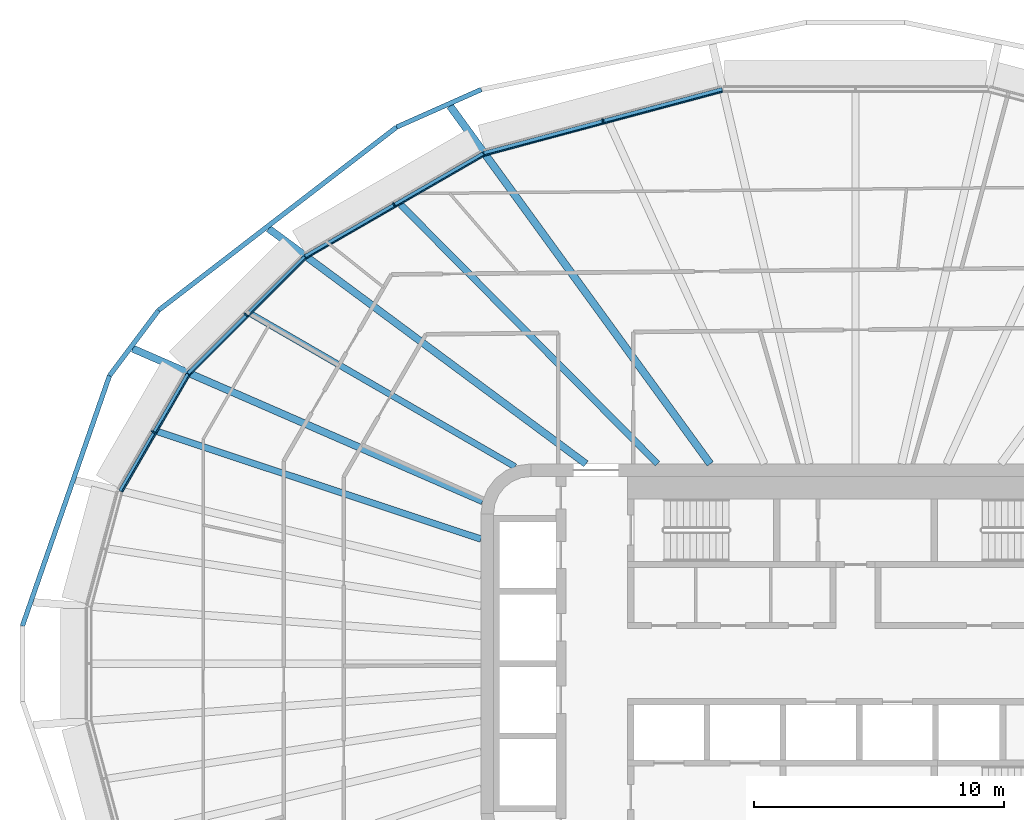
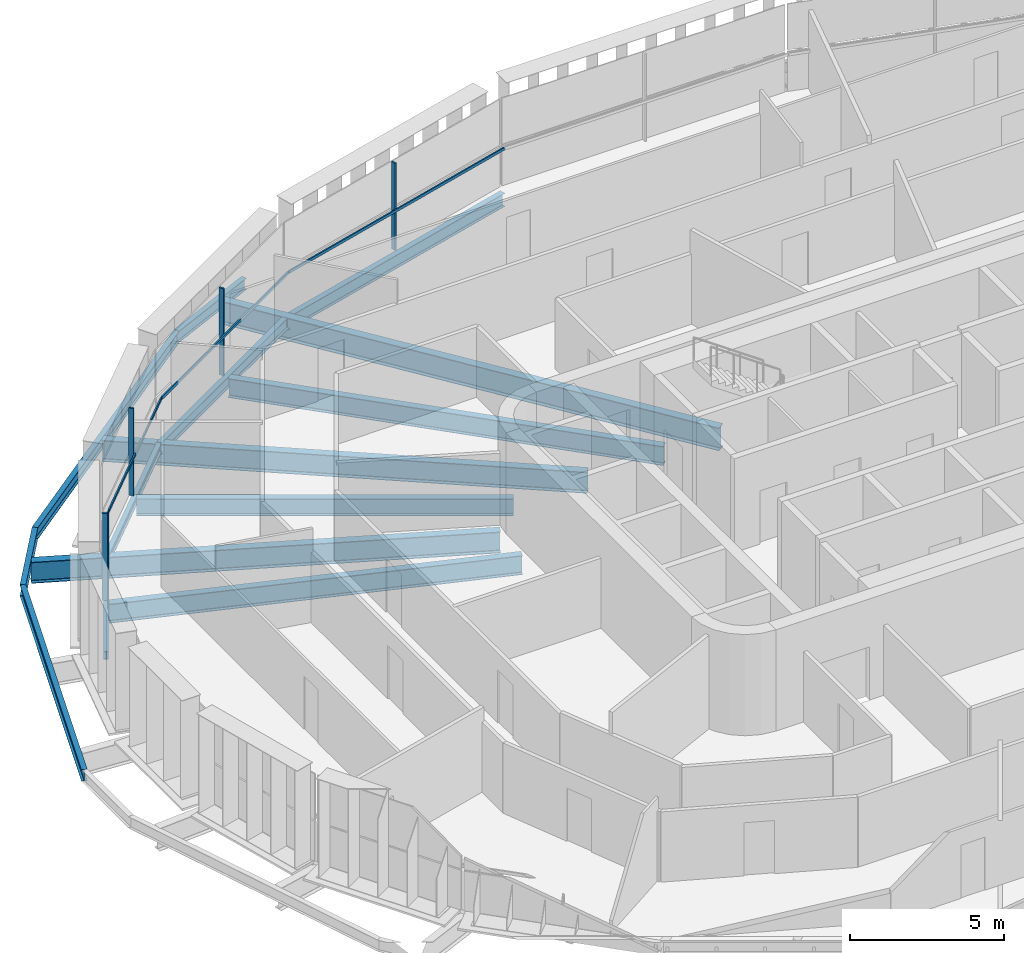
# One storey, part 5 of 23: 14 beams, 8 members, 4 elements without a shape of their own.
"""IFC4 building model written with IfcOpenShell, lengths in metres."""

from ifc_helpers import new_model, si_unit, direction, frame, origin, origin_2d, place, context, subcontext, project, spatial, rectangle, i_section, extrude, material, layer, layer_set, material_profile, profile_set, type_object, element, aggregate, save


model = new_model("IFC4")

# Units and contexts
model_context = context("Model", 3, precision=1e-05, world=origin(), true_north=direction((0.0, 1.0)))
body_context = subcontext(model_context, "Body", "Model", "MODEL_VIEW")
ifc_project = project(units=[si_unit("LENGTHUNIT", "METRE"), si_unit("AREAUNIT", "SQUARE_METRE"), si_unit("VOLUMEUNIT", "CUBIC_METRE"), si_unit("PLANEANGLEUNIT", "RADIAN"), si_unit("MASSUNIT", "GRAM", prefix="KILO")], contexts=[model_context])

# Site, building, storey
site_placement = place(None, origin())
site = spatial("IfcSite", under=ifc_project, at=site_placement, CompositionType="ELEMENT")
building_placement = place(site_placement, origin())
building = spatial("IfcBuilding", under=site, at=building_placement, Name="Sahrelin Media Tower", CompositionType="ELEMENT")
storey_placement = place(building_placement, frame((0.0, 0.0, 185.60009765625)))
storey = spatial("IfcBuildingStorey", under=building, at=storey_placement, Name="L39", CompositionType="ELEMENT", Elevation=185.60009765625)

# Beams
ifc_material_1 = material(Name="Steel S355", Category="steel")
ifc_material_profile_1 = material_profile(ifc_material_1, i_section(OverallWidth=0.1650390625, OverallDepth=0.303466796875, WebThickness=0.006103515625, FlangeThickness=0.01025390625, FilletRadius=0.0087890625, at=origin_2d()), Name="UB 305x165x40")
ifc_profile_set_1 = profile_set([ifc_material_profile_1], Name="Steel S355")
beam_type_1 = type_object("IfcBeamType", Name="Edge beam EB2", PredefinedType="BEAM", material=ifc_profile_set_1)
beam_1_placement = place(storey_placement, frame((-29.43408203125, 6.9072265625, -0.3017578125), z_axis=(0.500016705875, 0.866015758428, 0.0), x_axis=(-0.866015758428, 0.500016705875, 0.0)))
element("IfcBeam", 1, at=beam_1_placement, inside=storey, type_object=beam_type_1, Name="Edge beam L39-15", PredefinedType="BEAM", context=body_context, shape_type="SweptSolid", body=[
    extrude(i_section(OverallWidth=0.1650390625, OverallDepth=0.303466796875, WebThickness=0.006103515625, FlangeThickness=0.01025390625, FilletRadius=0.0087890625, at=origin_2d()), origin(), (0.0, 0.0, 1.0), 5.410400390625),
])
ifc_material_profile_2 = material_profile(ifc_material_1, i_section(OverallWidth=0.17138671875, OverallDepth=0.35498046875, WebThickness=0.00732421875, FlangeThickness=0.011474609375, FilletRadius=0.01025390625, at=origin_2d()), Name="UB 356x171x51")
ifc_profile_set_2 = profile_set([ifc_material_profile_2], Name="Steel S355")
beam_type_2 = type_object("IfcBeamType", Name="Edge beam EB3", PredefinedType="BEAM", material=ifc_profile_set_2)
beam_2_placement = place(storey_placement, frame((-26.711181640625, 11.61572265625, -0.32763671875), z_axis=(0.70708825429, 0.707125307597, 0.0), x_axis=(-0.707125307597, 0.70708825429, 0.0)))
element("IfcBeam", 2, at=beam_2_placement, inside=storey, type_object=beam_type_2, Name="Edge beam L39-16", PredefinedType="BEAM", context=body_context, shape_type="SweptSolid", body=[
    extrude(i_section(OverallWidth=0.17138671875, OverallDepth=0.35498046875, WebThickness=0.00732421875, FlangeThickness=0.011474609375, FilletRadius=0.01025390625, at=origin_2d()), origin(), (0.0, 0.0, 1.0), 6.5888671875),
])
ifc_material_profile_3 = material_profile(ifc_material_1, i_section(OverallWidth=0.1904296875, OverallDepth=0.45703125, WebThickness=0.009033203125, FlangeThickness=0.014404296875, FilletRadius=0.01025390625, at=origin_2d()), Name="UB 457x191x74")
ifc_profile_set_3 = profile_set([ifc_material_profile_3], Name="Steel S355")
beam_type_3 = type_object("IfcBeamType", Name="Edge beam EB5", PredefinedType="BEAM", material=ifc_profile_set_3)
beam_3_placement = place(storey_placement, frame((-22.029296875, 16.292236328125, -0.378662109375), z_axis=(0.8660092336, 0.500028006535, 0.0), x_axis=(-0.500028006535, 0.8660092336, 0.0)))
element("IfcBeam", 3, at=beam_3_placement, inside=storey, type_object=beam_type_3, Name="Edge beam L39-17", PredefinedType="BEAM", context=body_context, shape_type="SweptSolid", body=[
    extrude(i_section(OverallWidth=0.1904296875, OverallDepth=0.45703125, WebThickness=0.009033203125, FlangeThickness=0.014404296875, FilletRadius=0.01025390625, at=origin_2d()), origin(), (0.0, 0.0, 1.0), 8.23046875),
])
ifc_material_profile_4 = material_profile(ifc_material_1, i_section(OverallWidth=0.208740234375, OverallDepth=0.5283203125, WebThickness=0.009521484375, FlangeThickness=0.01318359375, FilletRadius=0.0126953125, at=origin_2d()), Name="UB 533x210x82")
ifc_profile_set_4 = profile_set([ifc_material_profile_4], Name="Steel S355")
beam_type_4 = type_object("IfcBeamType", Name="Edge beam EB6", PredefinedType="BEAM", material=ifc_profile_set_4)
beam_4_placement = place(storey_placement, frame((-14.875, 20.418701171875, -0.414306640625), z_axis=(0.965928634298, 0.258808565244, 0.0), x_axis=(-0.258808565244, 0.965928634298, 0.0)))
element("IfcBeam", 4, at=beam_4_placement, inside=storey, type_object=beam_type_4, Name="Edge beam L39-18", PredefinedType="BEAM", context=body_context, shape_type="SweptSolid", body=[
    extrude(i_section(OverallWidth=0.208740234375, OverallDepth=0.5283203125, WebThickness=0.009521484375, FlangeThickness=0.01318359375, FilletRadius=0.0126953125, at=origin_2d()), origin(), (0.0, 0.0, 1.0), 9.87744140625),
])

# Curtain wall, member
ifc_material_2 = material(Name="Champagne anodised aluminium 6063-T6", Category="aluminium")
ifc_layer = layer(ifc_material_2, 0.14990234375)
ifc_layer_set = layer_set([ifc_layer], Name="Tower ribbon curtain wall")
curtain_wall_type = type_object("IfcCurtainWallType", Name="Tower ribbon curtain wall", PredefinedType="NOTDEFINED", material=ifc_layer_set)
curtain_wall_1_placement = place(storey_placement, frame((-10.143310546875, 21.841796875, 0.0), z_axis=(0.0, 0.0, 1.0), x_axis=(1.0, 0.0, 0.0)))
curtain_wall_1 = element("IfcCurtainWall", 5, at=curtain_wall_1_placement, inside=storey, type_object=curtain_wall_type, Name="L39:CW:L39-07", PredefinedType="NOTDEFINED")
ifc_material_profile_5 = material_profile(ifc_material_2, rectangle(XDim=0.06005859375, YDim=0.175048828125, at=origin_2d()), Name="Mullion 60x175")
ifc_profile_set_5 = profile_set([ifc_material_profile_5], Name="Champagne anodised aluminium 6063-T6")
member_type_1 = type_object("IfcMemberType", Name="Mullion 60x175 CW1B", PredefinedType="MULLION", material=ifc_profile_set_5)
member_1_placement = place(storey_placement, frame((-10.115478515625, 21.73779296875, 0.0), z_axis=(0.0, 0.0, 1.0), x_axis=(-0.965924922834, -0.258822416818, 0.0)))
member_1 = element("IfcMember", 6, at=member_1_placement, type_object=member_type_1, Name="L39:CWM:L39-07", PredefinedType="MULLION", context=body_context, shape_type="SweptSolid", body=[
    extrude(rectangle(XDim=0.06005859375, YDim=0.175048828125, at=origin_2d()), origin(), (0.0, 0.0, 1.0), 3.448486328125),
])

curtain_wall_2_placement = place(storey_placement, frame((-18.540283203125, 18.479736328125, 0.0), z_axis=(0.0, 0.0, 1.0), x_axis=(1.0, 0.0, 0.0)))
curtain_wall_2 = element("IfcCurtainWall", 7, at=curtain_wall_2_placement, inside=storey, type_object=curtain_wall_type, Name="L39:CW:L39-08", PredefinedType="NOTDEFINED")
member_2_placement = place(storey_placement, frame((-18.48681640625, 18.38671875, 0.0), z_axis=(0.0, 0.0, 1.0), x_axis=(-0.86602365845, -0.500003022996, 0.0)))
member_2 = element("IfcMember", 8, at=member_2_placement, type_object=member_type_1, Name="L39:CWM:L39-08", PredefinedType="MULLION", context=body_context, shape_type="SweptSolid", body=[
    extrude(rectangle(XDim=0.06005859375, YDim=0.175048828125, at=origin_2d()), origin(), (0.0, 0.0, 1.0), 3.448486328125),
])

curtain_wall_3_placement = place(storey_placement, frame((-24.48779296875, 14.05126953125, 0.0), z_axis=(0.0, 0.0, 1.0), x_axis=(1.0, 0.0, 0.0)))
curtain_wall_3 = element("IfcCurtainWall", 9, at=curtain_wall_3_placement, inside=storey, type_object=curtain_wall_type, Name="L39:CW:L39-09", PredefinedType="NOTDEFINED")
member_3_placement = place(storey_placement, frame((-24.411865234375, 13.975341796875, 0.0), z_axis=(0.0, 0.0, 1.0), x_axis=(-0.707106781187, -0.707106781187, 0.0)))
member_3 = element("IfcMember", 10, at=member_3_placement, type_object=member_type_1, Name="L39:CWM:L39-09", PredefinedType="MULLION", context=body_context, shape_type="SweptSolid", body=[
    extrude(rectangle(XDim=0.06005859375, YDim=0.175048828125, at=origin_2d()), origin(), (0.0, 0.0, 1.0), 3.448486328125),
])

curtain_wall_4_placement = place(storey_placement, frame((-28.211181640625, 9.324951171875, 0.0), z_axis=(0.0, 0.0, 1.0), x_axis=(1.0, 0.0, 0.0)))
curtain_wall_4 = element("IfcCurtainWall", 11, at=curtain_wall_4_placement, inside=storey, type_object=curtain_wall_type, Name="L39:CW:L39-10", PredefinedType="NOTDEFINED")
member_4_placement = place(storey_placement, frame((-28.118408203125, 9.271240234375, 0.0), z_axis=(0.0, 0.0, 1.0), x_axis=(-0.499996976998, -0.866027149108, 0.0)))
member_4 = element("IfcMember", 12, at=member_4_placement, type_object=member_type_1, Name="L39:CWM:L39-10", PredefinedType="MULLION", context=body_context, shape_type="SweptSolid", body=[
    extrude(rectangle(XDim=0.06005859375, YDim=0.175048828125, at=origin_2d()), origin(), (0.0, 0.0, 1.0), 3.448486328125),
])

# Beams
ifc_material_profile_6 = material_profile(ifc_material_1, i_section(OverallWidth=0.291748046875, OverallDepth=0.8349609375, WebThickness=0.013916015625, FlangeThickness=0.018798828125, FilletRadius=0.017822265625, at=origin_2d()), Name="UB 838x292x176")
ifc_profile_set_6 = profile_set([ifc_material_profile_6], Name="Steel S355")
beam_type_5 = type_object("IfcBeamType", Name="Radial primary beam PB10", PredefinedType="BEAM", material=ifc_profile_set_6)
beam_5_placement = place(storey_placement, frame((-10.793701171875, 8.0, -0.567626953125), z_axis=(-0.803393982722, 0.595447821833, 0.0), x_axis=(-0.595447821833, -0.803393982722, 0.0)))
element("IfcBeam", 13, at=beam_5_placement, inside=storey, type_object=beam_type_5, Name="Radial beam L39-09", PredefinedType="BEAM", context=body_context, shape_type="SweptSolid", body=[
    extrude(i_section(OverallWidth=0.291748046875, OverallDepth=0.8349609375, WebThickness=0.013916015625, FlangeThickness=0.018798828125, FilletRadius=0.017822265625, at=origin_2d()), origin(), (0.0, 0.0, 1.0), 15.82275390625),
])
beam_6_placement = place(storey_placement, frame((-14.93310546875, 6.5078125, -0.567626953125), z_axis=(-0.916728212301, 0.399511432591, 0.0), x_axis=(-0.399511432591, -0.916728212301, 0.0)))
element("IfcBeam", 14, at=beam_6_placement, inside=storey, type_object=beam_type_5, Name="Radial beam L39-10", PredefinedType="BEAM", context=body_context, shape_type="SweptSolid", body=[
    extrude(i_section(OverallWidth=0.291748046875, OverallDepth=0.8349609375, WebThickness=0.013916015625, FlangeThickness=0.018798828125, FilletRadius=0.017822265625, at=origin_2d()), origin(), (0.0, 0.0, 1.0), 15.28662109375),
])
ifc_material_profile_7 = material_profile(ifc_material_1, i_section(OverallWidth=0.30322265625, OverallDepth=0.903076171875, WebThickness=0.01513671875, FlangeThickness=0.020263671875, FilletRadius=0.01904296875, at=origin_2d()), Name="UB 914x305x201")
ifc_profile_set_7 = profile_set([ifc_material_profile_7], Name="Steel S355")
beam_type_6 = type_object("IfcBeamType", Name="Radial primary beam PB11", PredefinedType="BEAM", material=ifc_profile_set_7)
beam_7_placement = place(storey_placement, frame((-5.8173828125, 8.0, -0.6015625), z_axis=(-0.588118455861, 0.808774802943, 0.0), x_axis=(-0.808774802943, -0.588118455861, 0.0)))
element("IfcBeam", 15, at=beam_7_placement, inside=storey, type_object=beam_type_6, Name="Radial beam L39-08", PredefinedType="BEAM", context=body_context, shape_type="SweptSolid", body=[
    extrude(i_section(OverallWidth=0.30322265625, OverallDepth=0.903076171875, WebThickness=0.01513671875, FlangeThickness=0.020263671875, FilletRadius=0.01904296875, at=origin_2d()), origin(), (0.0, 0.0, 1.0), 17.722900390625),
])
ifc_material_profile_8 = material_profile(ifc_material_1, i_section(OverallWidth=0.2529296875, OverallDepth=0.677978515625, WebThickness=0.01171875, FlangeThickness=0.01611328125, FilletRadius=0.01513671875, at=origin_2d()), Name="UB 686x254x125")
ifc_profile_set_8 = profile_set([ifc_material_profile_8], Name="Steel S355")
beam_type_7 = type_object("IfcBeamType", Name="Radial secondary beam SB8", PredefinedType="BEAM", material=ifc_profile_set_8)
beam_8_placement = place(storey_placement, frame((-13.63134765625, 7.884765625, -0.489013671875), z_axis=(-0.865627368976, 0.500688783658, 0.0), x_axis=(-0.500688783658, -0.865627368976, 0.0)))
element("IfcBeam", 16, at=beam_8_placement, inside=storey, type_object=beam_type_7, Name="Secondary beam L39-09", PredefinedType="BEAM", context=body_context, shape_type="SweptSolid", body=[
    extrude(i_section(OverallWidth=0.2529296875, OverallDepth=0.677978515625, WebThickness=0.01171875, FlangeThickness=0.01611328125, FilletRadius=0.01513671875, at=origin_2d()), origin(), (0.0, 0.0, 1.0), 12.215087890625),
])
ifc_material_profile_9 = material_profile(ifc_material_1, i_section(OverallWidth=0.26513671875, OverallDepth=0.75390625, WebThickness=0.0126953125, FlangeThickness=0.017578125, FilletRadius=0.0166015625, at=origin_2d()), Name="UB 762x267x147")
ifc_profile_set_9 = profile_set([ifc_material_profile_9], Name="Steel S355")
beam_type_8 = type_object("IfcBeamType", Name="Radial secondary beam SB9", PredefinedType="BEAM", material=ifc_profile_set_9)
beam_9_placement = place(storey_placement, frame((-7.927490234375, 8.0, -0.527099609375), z_axis=(-0.70389286124, 0.710306159269, 0.0), x_axis=(-0.710306159269, -0.70389286124, 0.0)))
element("IfcBeam", 17, at=beam_9_placement, inside=storey, type_object=beam_type_8, Name="Secondary beam L39-08", PredefinedType="BEAM", context=body_context, shape_type="SweptSolid", body=[
    extrude(i_section(OverallWidth=0.26513671875, OverallDepth=0.75390625, WebThickness=0.0126953125, FlangeThickness=0.017578125, FilletRadius=0.0166015625, at=origin_2d()), origin(), (0.0, 0.0, 1.0), 14.6181640625),
])
beam_10_placement = place(storey_placement, frame((-15.0, 4.986083984375, -0.527099609375), z_axis=(-0.948949304443, 0.315428625204, 0.0), x_axis=(-0.315428625204, -0.948949304443, 0.0)))
element("IfcBeam", 18, at=beam_10_placement, inside=storey, type_object=beam_type_8, Name="Secondary beam L39-10", PredefinedType="BEAM", context=body_context, shape_type="SweptSolid", body=[
    extrude(i_section(OverallWidth=0.26513671875, OverallDepth=0.75390625, WebThickness=0.0126953125, FlangeThickness=0.017578125, FilletRadius=0.0166015625, at=origin_2d()), origin(), (0.0, 0.0, 1.0), 13.657958984375),
])
ifc_material_profile_10 = material_profile(ifc_material_1, i_section(OverallWidth=0.1904296875, OverallDepth=0.45703125, WebThickness=0.009033203125, FlangeThickness=0.014404296875, FilletRadius=0.01025390625, at=origin_2d()), Name="UB 457x191x74")
ifc_profile_set_10 = profile_set([ifc_material_profile_10], Name="Steel S355")
beam_type_9 = type_object("IfcBeamType", Name="Tie chord TC5", PredefinedType="BEAM", material=ifc_profile_set_10)
beam_11_placement = place(storey_placement, frame((-14.9873046875, 22.994873046875, -0.378662109375), z_axis=(-0.913827822394, -0.406101848086, 0.0), x_axis=(0.406101848086, -0.913827822394, 0.0)))
element("IfcBeam", 19, at=beam_11_placement, inside=storey, type_object=beam_type_9, Name="Tie chord L39-08", PredefinedType="BEAM", context=body_context, shape_type="SweptSolid", body=[
    extrude(i_section(OverallWidth=0.1904296875, OverallDepth=0.45703125, WebThickness=0.009033203125, FlangeThickness=0.014404296875, FilletRadius=0.01025390625, at=origin_2d()), origin(), (0.0, 0.0, 1.0), 3.711669921875),
])
beam_12_placement = place(storey_placement, frame((-18.379150390625, 21.487548828125, -0.378662109375), z_axis=(-0.792442979882, -0.60994600059, 0.0), x_axis=(0.60994600059, -0.792442979882, 0.0)))
element("IfcBeam", 20, at=beam_12_placement, inside=storey, type_object=beam_type_9, Name="Tie chord L39-09", PredefinedType="BEAM", context=body_context, shape_type="SweptSolid", body=[
    extrude(i_section(OverallWidth=0.1904296875, OverallDepth=0.45703125, WebThickness=0.009033203125, FlangeThickness=0.014404296875, FilletRadius=0.01025390625, at=origin_2d()), origin(), (0.0, 0.0, 1.0), 12.035888671875),
])
beam_13_placement = place(storey_placement, frame((-27.9169921875, 14.146240234375, -0.378662109375), z_axis=(-0.600059847202, -0.7999551111, 0.0), x_axis=(0.7999551111, -0.600059847202, 0.0)))
element("IfcBeam", 21, at=beam_13_placement, inside=storey, type_object=beam_type_9, Name="Tie chord L39-10", PredefinedType="BEAM", context=body_context, shape_type="SweptSolid", body=[
    extrude(i_section(OverallWidth=0.1904296875, OverallDepth=0.45703125, WebThickness=0.009033203125, FlangeThickness=0.014404296875, FilletRadius=0.01025390625, at=origin_2d()), origin(), (0.0, 0.0, 1.0), 3.263427734375),
])
beam_14_placement = place(storey_placement, frame((-29.875244140625, 11.53564453125, -0.378662109375), z_axis=(-0.3287533588, -0.944415813653, 0.0), x_axis=(0.944415813653, -0.3287533588, 0.0)))
element("IfcBeam", 22, at=beam_14_placement, inside=storey, type_object=beam_type_9, Name="Tie chord L39-11", PredefinedType="BEAM", context=body_context, shape_type="SweptSolid", body=[
    extrude(i_section(OverallWidth=0.1904296875, OverallDepth=0.45703125, WebThickness=0.009033203125, FlangeThickness=0.014404296875, FilletRadius=0.01025390625, at=origin_2d()), origin(), (0.0, 0.0, 1.0), 10.618896484375),
])

# Member
ifc_material_profile_11 = material_profile(ifc_material_2, rectangle(XDim=0.050048828125, YDim=0.110107421875, at=origin_2d()), Name="Transom 50x110")
ifc_profile_set_11 = profile_set([ifc_material_profile_11], Name="Champagne anodised aluminium 6063-T6")
member_type_2 = type_object("IfcMemberType", Name="Transom 50x110 CW1B", PredefinedType="USERDEFINED", material=ifc_profile_set_11)
member_5_placement = place(storey_placement, frame((-5.3310546875, 22.903564453125, 1.599853515625), z_axis=(-0.965921045244, -0.258836887547, 0.0), x_axis=(0.258836887547, -0.965921045244, 0.0)))
member_5 = element("IfcMember", 23, at=member_5_placement, type_object=member_type_2, Name="L39:CWT:L39-07", ObjectType="TRANSOM", PredefinedType="USERDEFINED", context=body_context, shape_type="SweptSolid", body=[
    extrude(rectangle(XDim=0.050048828125, YDim=0.110107421875, at=origin_2d()), origin(), (0.0, 0.0, 1.0), 9.84619140625),
])

aggregate(curtain_wall_1, [member_1, member_5])

member_6_placement = place(storey_placement, frame((-14.880126953125, 20.339111328125, 1.599853515625), z_axis=(-0.866020958405, -0.500007699544, 0.0), x_axis=(0.500007699544, -0.866020958405, 0.0)))
member_6 = element("IfcMember", 24, at=member_6_placement, type_object=member_type_2, Name="L39:CWT:L39-08", ObjectType="TRANSOM", PredefinedType="USERDEFINED", context=body_context, shape_type="SweptSolid", body=[
    extrude(rectangle(XDim=0.050048828125, YDim=0.110107421875, at=origin_2d()), origin(), (0.0, 0.0, 1.0), 8.198974609375),
])

aggregate(curtain_wall_2, [member_2, member_6])

member_7_placement = place(storey_placement, frame((-22.013916015625, 16.214111328125, 1.599853515625), z_axis=(-0.707106781187, -0.707106781187, 0.0), x_axis=(0.707106781187, -0.707106781187, 0.0)))
member_7 = element("IfcMember", 25, at=member_7_placement, type_object=member_type_2, Name="L39:CWT:L39-09", ObjectType="TRANSOM", PredefinedType="USERDEFINED", context=body_context, shape_type="SweptSolid", body=[
    extrude(rectangle(XDim=0.050048828125, YDim=0.110107421875, at=origin_2d()), origin(), (0.0, 0.0, 1.0), 6.557373046875),
])

aggregate(curtain_wall_3, [member_3, member_7])

member_8_placement = place(storey_placement, frame((-26.676025390625, 11.544189453125, 1.599853515625), z_axis=(-0.499985686398, -0.866033667589, 0.0), x_axis=(0.866033667589, -0.499985686398, 0.0)))
member_8 = element("IfcMember", 26, at=member_8_placement, type_object=member_type_2, Name="L39:CWT:L39-10", ObjectType="TRANSOM", PredefinedType="USERDEFINED", context=body_context, shape_type="SweptSolid", body=[
    extrude(rectangle(XDim=0.050048828125, YDim=0.110107421875, at=origin_2d()), origin(), (0.0, 0.0, 1.0), 5.379150390625),
])

aggregate(curtain_wall_4, [member_4, member_8])

save(model, "model.ifc")
